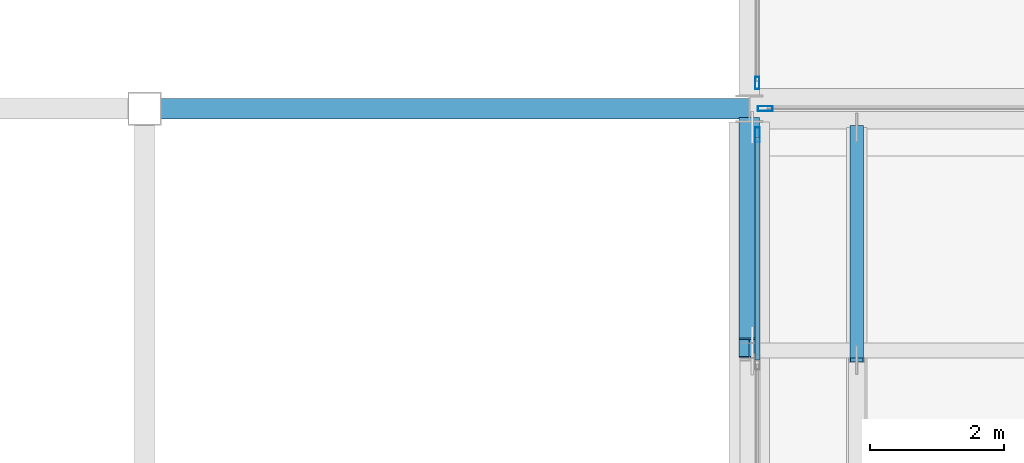
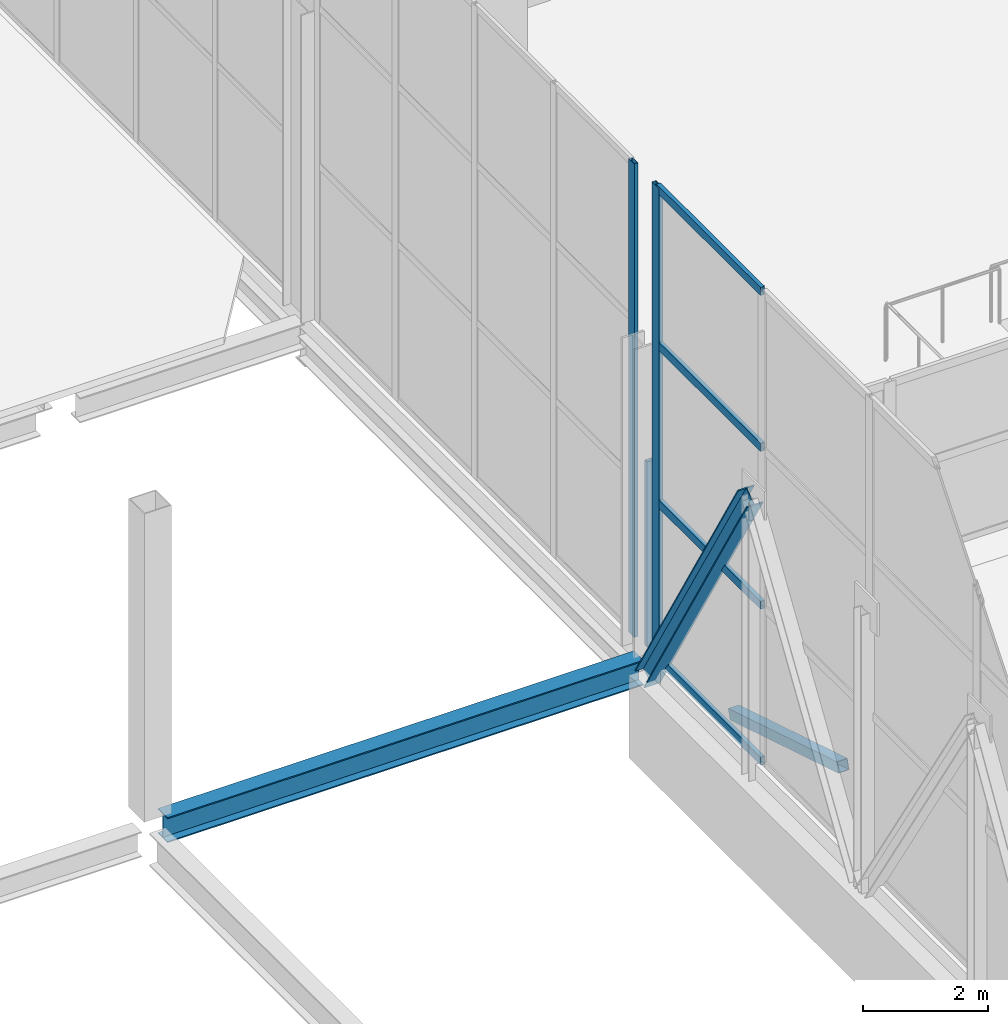
# One storey, part 76 of 191: 9 members, 1 beam, 3 elements without a shape of their own.
"""IFC4 building model written with IfcOpenShell, lengths in metres."""

from ifc_helpers import new_model, si_unit, direction, frame, origin, origin_2d, place, context, subcontext, project, spatial, hollow_rectangle, i_section, extrude, material, layer, layer_set, material_profile, profile_set, type_object, element, aggregate, save


model = new_model("IFC4")

# Units and contexts
model_context = context("Model", 3, precision=1e-05, world=origin(), true_north=direction((0.0, 1.0)))
body_context = subcontext(model_context, "Body", "Model", "MODEL_VIEW")
ifc_project = project(units=[si_unit("LENGTHUNIT", "METRE"), si_unit("AREAUNIT", "SQUARE_METRE"), si_unit("VOLUMEUNIT", "CUBIC_METRE"), si_unit("PLANEANGLEUNIT", "RADIAN"), si_unit("MASSUNIT", "GRAM", prefix="KILO")], contexts=[model_context])

# Site, building, storey
site_placement = place(None, origin())
site = spatial("IfcSite", under=ifc_project, at=site_placement, CompositionType="ELEMENT")
building_placement = place(site_placement, origin())
building = spatial("IfcBuilding", under=site, at=building_placement, Name="Tamarisk Ironworks Central Station", CompositionType="ELEMENT")
storey_placement = place(building_placement, frame((0.0, 0.0, 6.60009765625)))
storey = spatial("IfcBuildingStorey", under=building, at=storey_placement, Name="L01", CompositionType="ELEMENT", Elevation=6.60009765625)

# Beam
ifc_material_1 = material(Name="Structural steel S355J2", Category="steel")
ifc_material_profile_1 = material_profile(ifc_material_1, i_section(OverallWidth=0.300048828125, OverallDepth=0.489990234375, WebThickness=0.011962890625, FlangeThickness=0.02294921875, at=origin_2d()), Name="HEA 500")
ifc_profile_set_1 = profile_set([ifc_material_profile_1], Name="Structural steel S355J2")
beam_type = type_object("IfcBeamType", Name="BM-G05", PredefinedType="BEAM", material=ifc_profile_set_1)
beam_placement = place(storey_placement, frame((45.238037109375, 79.199951171875, -0.385009765625), z_axis=(1.0, 0.0, 0.0), x_axis=(0.0, 1.0, 0.0)))
element("IfcBeam", 1, at=beam_placement, inside=storey, type_object=beam_type, Name="L01 primary girder X-0083", PredefinedType="BEAM", context=body_context, shape_type="SweptSolid", body=[
    extrude(i_section(OverallWidth=0.300048828125, OverallDepth=0.489990234375, WebThickness=0.011962890625, FlangeThickness=0.02294921875, at=origin_2d()), origin(), (0.0, 0.0, 1.0), 8.758056640625),
])

# Curtain wall, member
ifc_material_2 = material(Name="Anodized aluminium alloy 6063-T6", Category="aluminium")
ifc_layer_1 = layer(ifc_material_2, 0.179931640625)
ifc_layer_set_1 = layer_set([ifc_layer_1], Name="Anodized aluminium alloy 6063-T6")
curtain_wall_type_1 = type_object("IfcCurtainWallType", Name="CW-06", PredefinedType="USERDEFINED", material=ifc_layer_set_1)
curtain_wall_1_placement = place(storey_placement, origin())
curtain_wall_1 = element("IfcCurtainWall", 2, at=curtain_wall_1_placement, inside=storey, type_object=curtain_wall_type_1, Name="Concourse W track-overlook curtain wall 05", ObjectType="GLAZED CURTAIN WALL", PredefinedType="USERDEFINED")
ifc_material_profile_2 = material_profile(ifc_material_2, hollow_rectangle(XDim=0.074951171875, YDim=0.219970703125, WallThickness=0.00390625, at=origin_2d()), Name="ALUM 220x75")
ifc_profile_set_2 = profile_set([ifc_material_profile_2], Name="Anodized aluminium alloy 6063-T6")
member_type_1 = type_object("IfcMemberType", Name="CWM-01", PredefinedType="MULLION", material=ifc_profile_set_2)
member_1_placement = place(storey_placement, frame((54.1201171875, 78.8125, 0.0), z_axis=(0.0, 0.0, 1.0), x_axis=(-1.0, 0.0, 0.0)))
member_1 = element("IfcMember", 3, at=member_1_placement, type_object=member_type_1, Name="CW06 mullion 5", PredefinedType="MULLION", context=body_context, shape_type="SweptSolid", body=[
    extrude(hollow_rectangle(XDim=0.074951171875, YDim=0.219970703125, WallThickness=0.00390625, at=origin_2d()), origin(), (0.0, 0.0, 1.0), 9.219970703125),
])

ifc_layer_2 = layer(ifc_material_2, 0.179931640625)
ifc_layer_set_2 = layer_set([ifc_layer_2], Name="Anodized aluminium alloy 6063-T6")
curtain_wall_type_2 = type_object("IfcCurtainWallType", Name="CW-24", PredefinedType="USERDEFINED", material=ifc_layer_set_2)
curtain_wall_2_placement = place(storey_placement, origin())
curtain_wall_2 = element("IfcCurtainWall", 4, at=curtain_wall_2_placement, inside=storey, type_object=curtain_wall_type_2, Name="North bridge west glazed acoustic screen", ObjectType="GLAZED CURTAIN WALL", PredefinedType="USERDEFINED")
member_2_placement = place(storey_placement, frame((54.238525390625, 79.199951171875, 0.0), z_axis=(0.0, 0.0, 1.0), x_axis=(0.0, 1.0, 0.0)))
member_2 = element("IfcMember", 5, at=member_2_placement, type_object=member_type_1, Name="CW24 mullion 1", PredefinedType="MULLION", context=body_context, shape_type="SweptSolid", body=[
    extrude(hollow_rectangle(XDim=0.074951171875, YDim=0.219970703125, WallThickness=0.00390625, at=origin_2d()), origin(), (0.0, 0.0, 1.0), 3.599853515625),
])
aggregate(curtain_wall_2, [member_2])

ifc_layer_3 = layer(ifc_material_2, 0.179931640625)
ifc_layer_set_3 = layer_set([ifc_layer_3], Name="Anodized aluminium alloy 6063-T6")
curtain_wall_type_3 = type_object("IfcCurtainWallType", Name="CW-07", PredefinedType="USERDEFINED", material=ifc_layer_set_3)
curtain_wall_3_placement = place(storey_placement, origin())
curtain_wall_3 = element("IfcCurtainWall", 6, at=curtain_wall_3_placement, inside=storey, type_object=curtain_wall_type_3, Name="Concourse W track-overlook curtain wall 06", ObjectType="GLAZED CURTAIN WALL", PredefinedType="USERDEFINED")
ifc_material_profile_3 = material_profile(ifc_material_2, hollow_rectangle(XDim=0.06494140625, YDim=0.179931640625, WallThickness=0.00390625, at=origin_2d()), Name="ALUM 180x65")
ifc_profile_set_3 = profile_set([ifc_material_profile_3], Name="Anodized aluminium alloy 6063-T6")
member_type_2 = type_object("IfcMemberType", Name="CWM-02", PredefinedType="MULLION", material=ifc_profile_set_3)
member_3_placement = place(storey_placement, frame((54.1201171875, 79.58251953125, 0.0), z_axis=(0.0, 0.0, 1.0), x_axis=(-1.0, 0.0, 0.0)))
member_3 = element("IfcMember", 7, at=member_3_placement, type_object=member_type_2, Name="CW07 mullion 1", PredefinedType="MULLION", context=body_context, shape_type="SweptSolid", body=[
    extrude(hollow_rectangle(XDim=0.06494140625, YDim=0.179931640625, WallThickness=0.00390625, at=origin_2d()), origin(), (0.0, 0.0, 1.0), 9.219970703125),
])
aggregate(curtain_wall_3, [member_3])

# Member
ifc_material_profile_4 = material_profile(ifc_material_2, hollow_rectangle(XDim=0.074951171875, YDim=0.159912109375, WallThickness=0.00390625, at=origin_2d()), Name="ALUM 160x75")
ifc_profile_set_4 = profile_set([ifc_material_profile_4], Name="Anodized aluminium alloy 6063-T6")
member_type_3 = type_object("IfcMemberType", Name="CWT-01", PredefinedType="USERDEFINED", material=ifc_profile_set_4)
member_4_placement = place(storey_placement, frame((54.1201171875, 75.45849609375, 0.037353515625), z_axis=(0.0, 1.0, 0.0), x_axis=(-1.0, 0.0, 0.0)))
member_4 = element("IfcMember", 8, at=member_4_placement, type_object=member_type_3, Name="CW06 transom 4.1", ObjectType="TRANSOM", PredefinedType="USERDEFINED", context=body_context, shape_type="SweptSolid", body=[
    extrude(hollow_rectangle(XDim=0.074951171875, YDim=0.159912109375, WallThickness=0.00390625, at=origin_2d()), origin(), (0.0, 0.0, 1.0), 3.320556640625),
])

member_5_placement = place(storey_placement, frame((54.1201171875, 75.45849609375, 3.0732421875), z_axis=(0.0, 1.0, 0.0), x_axis=(-1.0, 0.0, 0.0)))
member_5 = element("IfcMember", 9, at=member_5_placement, type_object=member_type_3, Name="CW06 transom 4.2", ObjectType="TRANSOM", PredefinedType="USERDEFINED", context=body_context, shape_type="SweptSolid", body=[
    extrude(hollow_rectangle(XDim=0.074951171875, YDim=0.159912109375, WallThickness=0.00390625, at=origin_2d()), origin(), (0.0, 0.0, 1.0), 3.320556640625),
])

member_6_placement = place(storey_placement, frame((54.1201171875, 75.45849609375, 6.146484375), z_axis=(0.0, 1.0, 0.0), x_axis=(-1.0, 0.0, 0.0)))
member_6 = element("IfcMember", 10, at=member_6_placement, type_object=member_type_3, Name="CW06 transom 4.3", ObjectType="TRANSOM", PredefinedType="USERDEFINED", context=body_context, shape_type="SweptSolid", body=[
    extrude(hollow_rectangle(XDim=0.074951171875, YDim=0.159912109375, WallThickness=0.00390625, at=origin_2d()), origin(), (0.0, 0.0, 1.0), 3.320556640625),
])

member_7_placement = place(storey_placement, frame((54.1201171875, 75.45849609375, 9.182373046875), z_axis=(0.0, 1.0, 0.0), x_axis=(-1.0, 0.0, 0.0)))
member_7 = element("IfcMember", 11, at=member_7_placement, type_object=member_type_3, Name="CW06 transom 4.4", ObjectType="TRANSOM", PredefinedType="USERDEFINED", context=body_context, shape_type="SweptSolid", body=[
    extrude(hollow_rectangle(XDim=0.074951171875, YDim=0.159912109375, WallThickness=0.00390625, at=origin_2d()), origin(), (0.0, 0.0, 1.0), 3.320556640625),
])

aggregate(curtain_wall_1, [member_1, member_4, member_5, member_6, member_7])

# Members
ifc_material_3 = material(Name="Structural steel S355J2H", Category="steel")
ifc_material_profile_5 = material_profile(ifc_material_3, hollow_rectangle(XDim=0.199951171875, YDim=0.199951171875, WallThickness=0.010009765625, at=origin_2d()), Name="SHS 200x200x10")
ifc_profile_set_5 = profile_set([ifc_material_profile_5], Name="Structural steel S355J2H")
member_type_4 = type_object("IfcMemberType", Name="MB-BR02", PredefinedType="BRACE", material=ifc_profile_set_5)
member_8_placement = place(storey_placement, frame((55.60009765625, 75.4599609375, -0.580078125), z_axis=(0.0, 0.956131332595, -0.292938346467), x_axis=(-1.0, 0.0, 0.0)))
element("IfcMember", 12, at=member_8_placement, inside=storey, type_object=member_type_4, Name="Bridge deck stiffening web brace 136", PredefinedType="BRACE", context=body_context, shape_type="SweptSolid", body=[
    extrude(hollow_rectangle(XDim=0.199951171875, YDim=0.199951171875, WallThickness=0.010009765625, at=origin_2d()), origin(), (0.0, 0.0, 1.0), 3.61865234375),
])
ifc_material_profile_6 = material_profile(ifc_material_1, i_section(OverallWidth=0.300048828125, OverallDepth=0.340087890625, WebThickness=0.011962890625, FlangeThickness=0.021484375, at=origin_2d()), Name="HEB 340")
ifc_profile_set_6 = profile_set([ifc_material_profile_6], Name="Structural steel S355J2")
member_type_5 = type_object("IfcMemberType", Name="MB-TTD01", PredefinedType="BRACE", material=ifc_profile_set_6)
member_9_placement = place(storey_placement, frame((54.0, 75.639892578125, 5.119873046875), z_axis=(0.0, 0.512200847378, -0.858865700762), x_axis=(-1.0, 0.0, 0.0)))
element("IfcMember", 13, at=member_9_placement, inside=storey, type_object=member_type_5, Name="Transfer truss diagonal 027", PredefinedType="BRACE", context=body_context, shape_type="SweptSolid", body=[
    extrude(i_section(OverallWidth=0.300048828125, OverallDepth=0.340087890625, WebThickness=0.011962890625, FlangeThickness=0.021484375, at=origin_2d()), origin(), (0.0, 0.0, 1.0), 6.40380859375),
])

save(model, "model.ifc")
